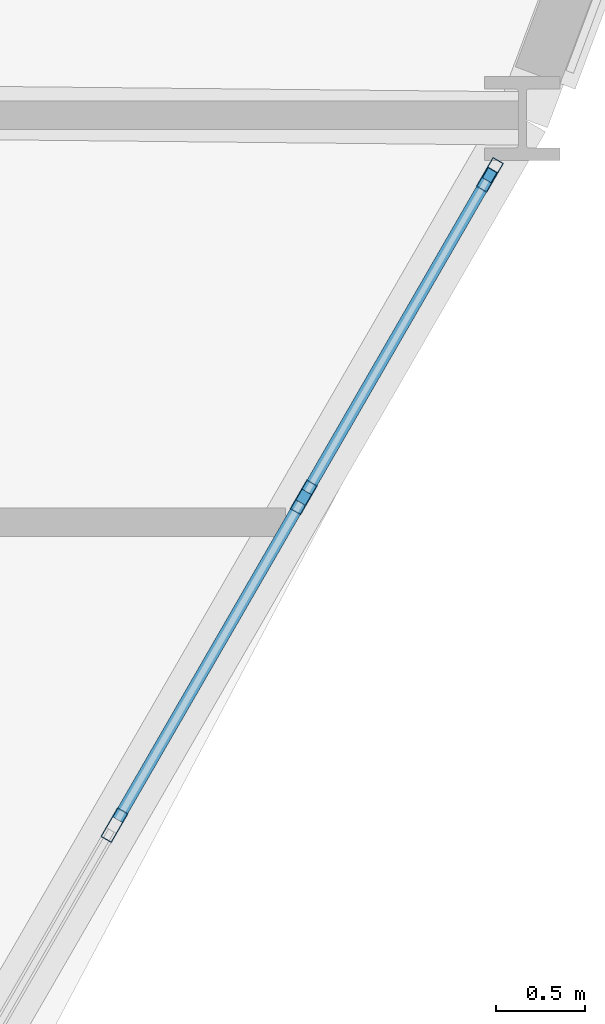
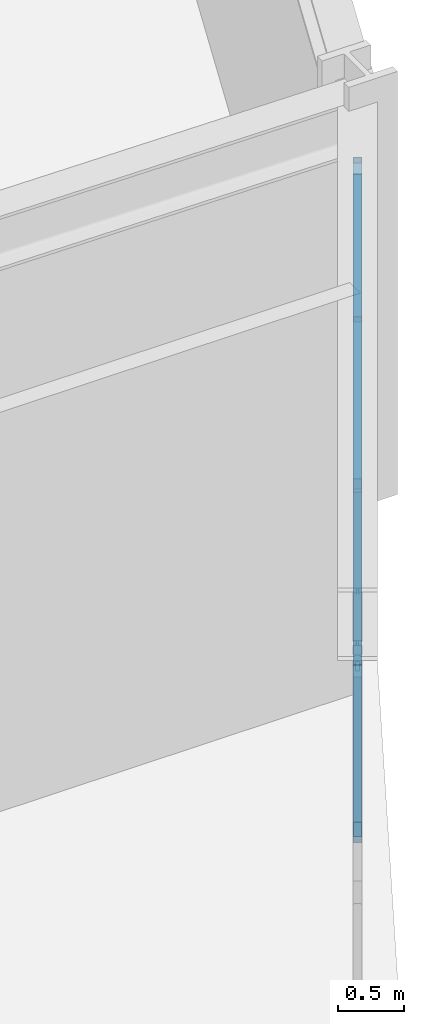
# One storey, part 10 of 22: 8 members, 1 element without a shape of its own.
"""IFC4 building model written with IfcOpenShell, lengths in metres."""

from ifc_helpers import new_model, si_unit, derived_unit, direction, frame, origin, origin_2d, place, context, subcontext, project, spatial, hollow_rectangle, extrude, source, transform, mapped, material, layer, layer_set, material_profile, profile_set, type_object, element, aggregate, save


model = new_model("IFC4")

# Units and contexts
model_context = context("Model", 3, precision=1e-05, world=origin(), true_north=direction((0.0, 1.0)))
body_context = subcontext(model_context, "Body", "Model", "MODEL_VIEW")
ifc_project = project(units=[si_unit("LENGTHUNIT", "METRE"), si_unit("AREAUNIT", "SQUARE_METRE"), si_unit("VOLUMEUNIT", "CUBIC_METRE"), si_unit("PLANEANGLEUNIT", "RADIAN"), si_unit("MASSUNIT", "GRAM", prefix="KILO"), derived_unit("THERMALTRANSMITTANCEUNIT", [(si_unit("POWERUNIT", "WATT"), 1), (si_unit("LENGTHUNIT", "METRE"), -2), (si_unit("THERMODYNAMICTEMPERATUREUNIT", "KELVIN"), -1)])], contexts=[model_context])

# Site, building, storey
site_placement = place(None, origin())
site = spatial("IfcSite", under=ifc_project, at=site_placement, CompositionType="ELEMENT")
building_placement = place(site_placement, origin())
building = spatial("IfcBuilding", under=site, at=building_placement, Name="Korsvarv Bourse and Concert Hall", CompositionType="ELEMENT")
storey_placement = place(building_placement, frame((0.0, 0.0, 47.39990234375)))
storey = spatial("IfcBuildingStorey", under=building, at=storey_placement, Name="L11", CompositionType="ELEMENT", Elevation=47.39990234375)

# Curtain wall, members
ifc_material_1 = material(Name="Anodised aluminium and triple low-E glazing", Category="glass")
ifc_layer = layer(ifc_material_1, 0.219970703125)
ifc_layer_set = layer_set([ifc_layer], Name="Anodised aluminium and triple low-E glazing")
curtain_wall_type = type_object("IfcCurtainWallType", Name="CW-SYS-1", PredefinedType="NOTDEFINED", material=ifc_layer_set)
curtain_wall_placement = place(storey_placement, origin())
curtain_wall = element("IfcCurtainWall", 1, at=curtain_wall_placement, inside=storey, type_object=curtain_wall_type, Name="L11 CW1 curtain wall CW-L11-F11", PredefinedType="NOTDEFINED")
ifc_material_2 = material(Name="Extruded aluminium EN AW-6063 T66", Category="aluminium")
ifc_material_profile_1 = material_profile(ifc_material_2, hollow_rectangle(XDim=0.070068359375, YDim=0.18994140625, WallThickness=0.0048828125, at=origin_2d()), Name="ALU-M 70x190")
ifc_profile_set_1 = profile_set([ifc_material_profile_1], Name="Extruded aluminium EN AW-6063 T66")
member_type_1 = type_object("IfcMemberType", Name="CWM-190", PredefinedType="MULLION", material=ifc_profile_set_1)
shared_shape_1 = source(origin(), body_context, "Body", "SweptSolid", [
    extrude(hollow_rectangle(XDim=0.070068359375, YDim=0.18994140625, WallThickness=0.0048828125, at=origin_2d()), origin(), (0.0, 0.0, 1.0), 3.22998046875),
])
member_1_placement = place(storey_placement, frame((55.68798828125, 28.321533203125, 0.0), z_axis=(0.0, 0.0, 1.0), x_axis=(-0.866025499647, 0.499999833962, 0.0)))
member_1 = element("IfcMember", 2, at=member_1_placement, type_object=member_type_1, Name="CW1 mullion 6", PredefinedType="MULLION", context=body_context, shape_type="MappedRepresentation", body=[
    mapped(shared_shape_1, transform((0.0, 0.0, 0.0), scale=1.0)),
])
member_2_placement = place(storey_placement, frame((56.752685546875, 30.165771484375, 0.0), z_axis=(0.0, 0.0, 1.0), x_axis=(-0.866025499647, 0.499999833962, 0.0)))
member_2 = element("IfcMember", 3, at=member_2_placement, type_object=member_type_1, Name="CW1 mullion 7", PredefinedType="MULLION", context=body_context, shape_type="MappedRepresentation", body=[
    mapped(shared_shape_1, transform((0.0, 0.0, 0.0), scale=1.0)),
])
member_3_placement = place(storey_placement, frame((57.800048828125, 31.979736328125, 0.0), z_axis=(0.0, 0.0, 1.0), x_axis=(-0.866025499647, 0.499999833962, 0.0)))
member_3 = element("IfcMember", 4, at=member_3_placement, type_object=member_type_1, Name="CW1 mullion 8", PredefinedType="MULLION", context=body_context, shape_type="MappedRepresentation", body=[
    mapped(shared_shape_1, transform((0.0, 0.0, 0.0), scale=1.0)),
])
ifc_material_profile_2 = material_profile(ifc_material_2, hollow_rectangle(XDim=0.06494140625, YDim=0.139892578125, WallThickness=0.00390625, at=origin_2d()), Name="ALU-T 65x140")
ifc_profile_set_2 = profile_set([ifc_material_profile_2], Name="Extruded aluminium EN AW-6063 T66")
member_type_2 = type_object("IfcMemberType", Name="CWT-140", PredefinedType="USERDEFINED", material=ifc_profile_set_2)
shared_shape_2 = source(origin(), body_context, "Body", "SweptSolid", [
    extrude(hollow_rectangle(XDim=0.06494140625, YDim=0.139892578125, WallThickness=0.00390625, at=origin_2d()), origin(), (0.0, 0.0, 1.0), 2.024658203125),
])
member_4_placement = place(storey_placement, frame((56.770263671875, 30.196044921875, 0.03271484375), z_axis=(0.499952099219, 0.866053057547, 0.0), x_axis=(-0.866053057547, 0.499952099219, 0.0)))
member_4 = element("IfcMember", 5, at=member_4_placement, type_object=member_type_2, Name="CW1 transom 7.1", ObjectType="TRANSOM", PredefinedType="USERDEFINED", context=body_context, shape_type="MappedRepresentation", body=[
    mapped(shared_shape_2, transform((0.0, 0.0, 0.0), scale=1.0)),
])
member_5_placement = place(storey_placement, frame((56.770263671875, 30.196044921875, 3.197509765625), z_axis=(0.499952099219, 0.866053057547, 0.0), x_axis=(-0.866053057547, 0.499952099219, 0.0)))
member_5 = element("IfcMember", 6, at=member_5_placement, type_object=member_type_2, Name="CW1 transom 7.2", ObjectType="TRANSOM", PredefinedType="USERDEFINED", context=body_context, shape_type="MappedRepresentation", body=[
    mapped(shared_shape_2, transform((0.0, 0.0, 0.0), scale=1.0)),
])
ifc_material_profile_3 = material_profile(ifc_material_2, hollow_rectangle(XDim=0.06494140625, YDim=0.1650390625, WallThickness=0.0048828125, at=origin_2d()), Name="ALU-M 65x165")
ifc_profile_set_3 = profile_set([ifc_material_profile_3], Name="Extruded aluminium EN AW-6063 T66")
member_type_3 = type_object("IfcMemberType", Name="CWM-165", PredefinedType="MULLION", material=ifc_profile_set_3)
shared_shape_3 = source(origin(), body_context, "Body", "SweptSolid", [
    extrude(hollow_rectangle(XDim=0.06494140625, YDim=0.1650390625, WallThickness=0.0048828125, at=origin_2d()), origin(), (0.0, 0.0, 1.0), 3.702392578125),
])
member_6_placement = place(storey_placement, frame((56.770263671875, 30.196044921875, 0.065185546875), z_axis=(0.273388505609, 0.473583272379, 0.83724405589), x_axis=(-0.866053057547, 0.499952099219, 0.0)))
member_6 = element("IfcMember", 7, at=member_6_placement, type_object=member_type_3, Name="CW1 diagonal mullion 7", PredefinedType="MULLION", context=body_context, shape_type="MappedRepresentation", body=[
    mapped(shared_shape_3, transform((0.0, 0.0, 0.0), scale=1.0)),
])
shared_shape_4 = source(origin(), body_context, "Body", "SweptSolid", [
    extrude(hollow_rectangle(XDim=0.06494140625, YDim=0.139892578125, WallThickness=0.00390625, at=origin_2d()), origin(), (0.0, 0.0, 1.0), 2.0595703125),
])
member_7_placement = place(storey_placement, frame((55.70556640625, 28.351806640625, 0.03271484375), z_axis=(0.499989236795, 0.866031617834, 0.0), x_axis=(-0.866031617834, 0.499989236795, 0.0)))
member_7 = element("IfcMember", 8, at=member_7_placement, type_object=member_type_2, Name="CW1 transom 6.1", ObjectType="TRANSOM", PredefinedType="USERDEFINED", context=body_context, shape_type="MappedRepresentation", body=[
    mapped(shared_shape_4, transform((0.0, 0.0, 0.0), scale=1.0)),
])
member_8_placement = place(storey_placement, frame((55.70556640625, 28.351806640625, 3.197509765625), z_axis=(0.499989236795, 0.866031617834, 0.0), x_axis=(-0.866031617834, 0.499989236795, 0.0)))
member_8 = element("IfcMember", 9, at=member_8_placement, type_object=member_type_2, Name="CW1 transom 6.2", ObjectType="TRANSOM", PredefinedType="USERDEFINED", context=body_context, shape_type="MappedRepresentation", body=[
    mapped(shared_shape_4, transform((0.0, 0.0, 0.0), scale=1.0)),
])
aggregate(curtain_wall, [member_1, member_2, member_3, member_7, member_8, member_4, member_5, member_6])

save(model, "model.ifc")
